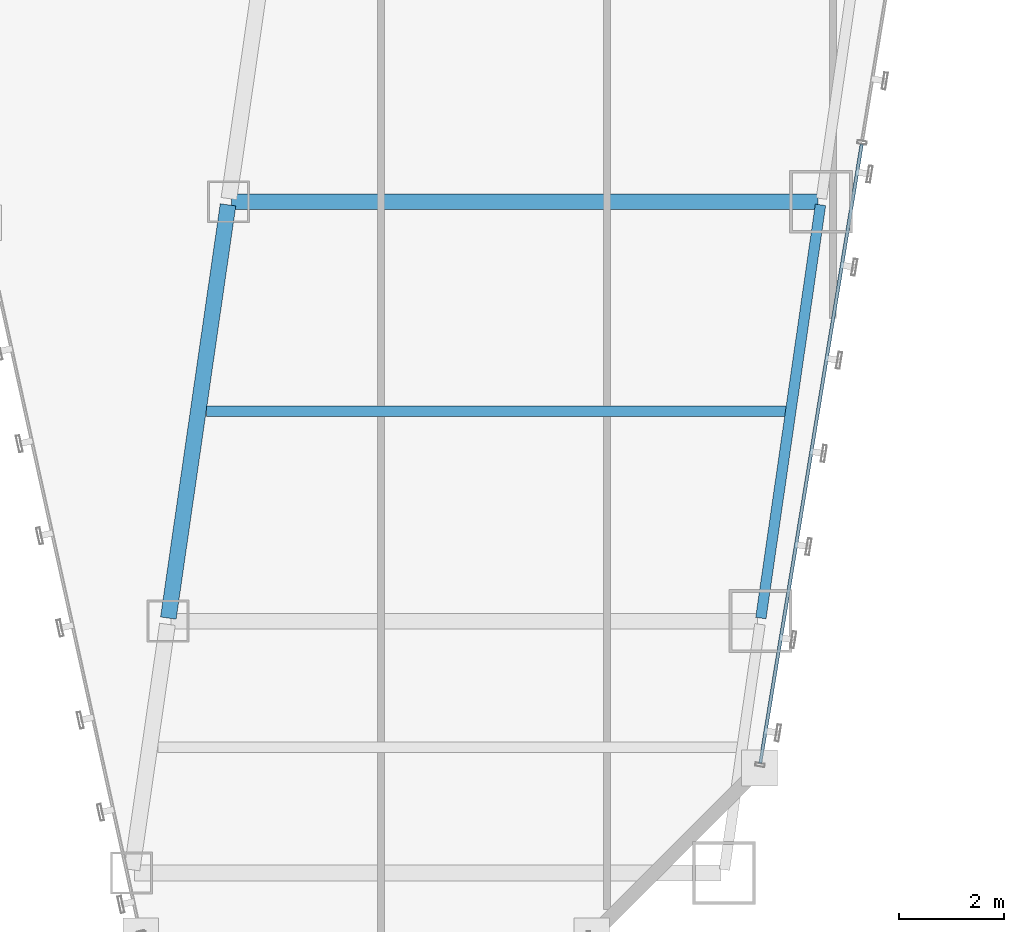
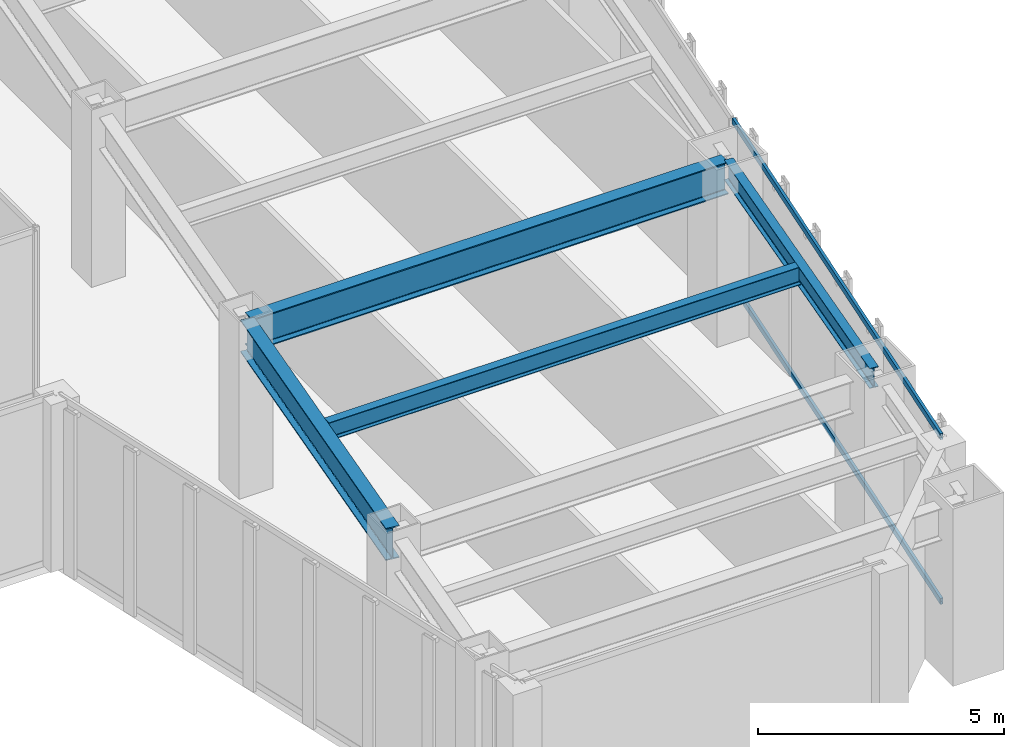
# One storey, part 16 of 47: 4 beams, 2 members, 1 element without a shape of its own.
"""IFC4 building model written with IfcOpenShell, lengths in metres."""

from ifc_helpers import new_model, si_unit, direction, frame, origin, origin_2d, place, context, subcontext, project, spatial, hollow_rectangle, i_section, extrude, material, material_profile, profile_set, type_object, element, aggregate, save


model = new_model("IFC4")

# Units and contexts
model_context = context("Model", 3, precision=1e-05, world=origin(), true_north=direction((0.0, 1.0)))
body_context = subcontext(model_context, "Body", "Model", "MODEL_VIEW")
ifc_project = project(units=[si_unit("LENGTHUNIT", "METRE"), si_unit("AREAUNIT", "SQUARE_METRE"), si_unit("VOLUMEUNIT", "CUBIC_METRE"), si_unit("PLANEANGLEUNIT", "RADIAN"), si_unit("MASSUNIT", "GRAM", prefix="KILO")], contexts=[model_context])

# Site, building, storey
site_placement = place(None, origin())
site = spatial("IfcSite", under=ifc_project, at=site_placement, CompositionType="ELEMENT")
building_placement = place(site_placement, origin())
building = spatial("IfcBuilding", under=site, at=building_placement, Name="Saevonmaru Cultural Tower", CompositionType="ELEMENT")
storey_placement = place(building_placement, frame((0.0, 0.0, 60.39990234375)))
storey = spatial("IfcBuildingStorey", under=building, at=storey_placement, Name="L12", CompositionType="ELEMENT", Elevation=60.39990234375)

# Beams
ifc_material_1 = material(Name="Steel SM420", Category="steel")
ifc_material_profile_1 = material_profile(ifc_material_1, i_section(OverallWidth=0.300048828125, OverallDepth=0.800048828125, WebThickness=0.013916015625, FlangeThickness=0.02587890625, FilletRadius=0.028076171875, at=origin_2d()), Name="H-800x300x14x26")
ifc_profile_set_1 = profile_set([ifc_material_profile_1], Name="Steel SM420")
beam_type_1 = type_object("IfcBeamType", Name="BM-G-H800", PredefinedType="BEAM", material=ifc_profile_set_1)
beam_1_placement = place(storey_placement, frame((36.925537109375, 8.059326171875, 3.75), z_axis=(0.142902032203, 0.989736838353, 0.0), x_axis=(-0.989736838353, 0.142902032203, 0.0)))
element("IfcBeam", 1, at=beam_1_placement, inside=storey, type_object=beam_type_1, Name="L12 East Atrium Girder 2", PredefinedType="BEAM", context=body_context, shape_type="SweptSolid", body=[
    extrude(i_section(OverallWidth=0.300048828125, OverallDepth=0.800048828125, WebThickness=0.013916015625, FlangeThickness=0.02587890625, FilletRadius=0.028076171875, at=origin_2d()), origin(), (0.0, 0.0, 1.0), 7.963134765625),
])
beam_2_placement = place(storey_placement, frame((38.132080078125, 16.0, 3.75), z_axis=(1.0, 0.0, 0.0), x_axis=(0.0, 1.0, 0.0)))
element("IfcBeam", 2, at=beam_2_placement, inside=storey, type_object=beam_type_1, Name="L12 East Wing Transverse Girder 3", PredefinedType="BEAM", context=body_context, shape_type="SweptSolid", body=[
    extrude(i_section(OverallWidth=0.300048828125, OverallDepth=0.800048828125, WebThickness=0.013916015625, FlangeThickness=0.02587890625, FilletRadius=0.028076171875, at=origin_2d()), origin(), (0.0, 0.0, 1.0), 11.179931640625),
])
ifc_material_2 = material(Name="Steel SM355", Category="steel")
ifc_material_profile_2 = material_profile(ifc_material_2, i_section(OverallWidth=0.199951171875, OverallDepth=0.449951171875, WebThickness=0.009033203125, FlangeThickness=0.013916015625, FilletRadius=0.01806640625, at=origin_2d()), Name="H-450x200x9x14")
ifc_profile_set_2 = profile_set([ifc_material_profile_2], Name="Steel SM355")
beam_type_2 = type_object("IfcBeamType", Name="BM-J-H450", PredefinedType="JOIST", material=ifc_profile_set_2)
beam_3_placement = place(storey_placement, frame((37.652587890625, 12.0, 3.925048828125), z_axis=(1.0, 0.0, 0.0), x_axis=(0.0, 1.0, 0.0)))
element("IfcBeam", 3, at=beam_3_placement, inside=storey, type_object=beam_type_2, Name="L12 East Wing Floor Joist 2", PredefinedType="JOIST", context=body_context, shape_type="SweptSolid", body=[
    extrude(i_section(OverallWidth=0.199951171875, OverallDepth=0.449951171875, WebThickness=0.009033203125, FlangeThickness=0.013916015625, FilletRadius=0.01806640625, at=origin_2d()), origin(), (0.0, 0.0, 1.0), 11.08203125),
])
ifc_material_profile_3 = material_profile(ifc_material_2, i_section(OverallWidth=0.199951171875, OverallDepth=0.5, WebThickness=0.010009765625, FlangeThickness=0.01611328125, FilletRadius=0.02001953125, at=origin_2d()), Name="H-500x200x10x16")
ifc_profile_set_3 = profile_set([ifc_material_profile_3], Name="Steel SM355")
beam_type_3 = type_object("IfcBeamType", Name="BM-SP-H500", PredefinedType="SPANDREL", material=ifc_profile_set_3)
beam_4_placement = place(storey_placement, frame((48.2255859375, 8.059326171875, 3.900146484375), z_axis=(0.142871999001, 0.989741174197, 0.0), x_axis=(-0.989741174197, 0.142871999001, 0.0)))
element("IfcBeam", 4, at=beam_4_placement, inside=storey, type_object=beam_type_3, Name="L12 East Splayed Spandrel 2", PredefinedType="SPANDREL", context=body_context, shape_type="SweptSolid", body=[
    extrude(i_section(OverallWidth=0.199951171875, OverallDepth=0.5, WebThickness=0.010009765625, FlangeThickness=0.01611328125, FilletRadius=0.02001953125, at=origin_2d()), origin(), (0.0, 0.0, 1.0), 7.963134765625),
])

# Curtain wall, members
ifc_material_3 = material(Name="Satin Bronze Anodised Aluminium", Category="aluminium")
curtain_wall_type = type_object("IfcCurtainWallType", Name="CW-TYP-A", PredefinedType="NOTDEFINED", material=ifc_material_3)
curtain_wall_placement = place(storey_placement, origin())
curtain_wall = element("IfcCurtainWall", 5, at=curtain_wall_placement, inside=storey, type_object=curtain_wall_type, Name="L12 Unitised Curtain Wall E8", PredefinedType="NOTDEFINED")
ifc_material_profile_4 = material_profile(ifc_material_3, hollow_rectangle(XDim=0.06494140625, YDim=0.14990234375, WallThickness=0.00390625, at=origin_2d()), Name="ALU-TRAN-150x65x4")
ifc_profile_set_4 = profile_set([ifc_material_profile_4], Name="Satin Bronze Anodised Aluminium")
member_type = type_object("IfcMemberType", Name="TR-CW-150x65", PredefinedType="USERDEFINED", material=ifc_profile_set_4)
member_1_placement = place(storey_placement, frame((48.21484375, 5.291259765625, 0.03271484375), z_axis=(0.161724530373, 0.986835941925, 0.0), x_axis=(-0.986835941925, 0.161724530373, 0.0)))
member_1 = element("IfcMember", 6, at=member_1_placement, type_object=member_type, Name="CW-TW-L12-E8 transom 1.1", ObjectType="TRANSOM", PredefinedType="USERDEFINED", context=body_context, shape_type="SweptSolid", body=[
    extrude(hollow_rectangle(XDim=0.06494140625, YDim=0.14990234375, WallThickness=0.00390625, at=origin_2d()), origin(), (0.0, 0.0, 1.0), 11.963623046875),
])
member_2_placement = place(storey_placement, frame((48.21484375, 5.291259765625, 4.11767578125), z_axis=(0.161724530373, 0.986835941925, 0.0), x_axis=(-0.986835941925, 0.161724530373, 0.0)))
member_2 = element("IfcMember", 7, at=member_2_placement, type_object=member_type, Name="CW-TW-L12-E8 transom 1.2", ObjectType="TRANSOM", PredefinedType="USERDEFINED", context=body_context, shape_type="SweptSolid", body=[
    extrude(hollow_rectangle(XDim=0.06494140625, YDim=0.14990234375, WallThickness=0.00390625, at=origin_2d()), origin(), (0.0, 0.0, 1.0), 11.963623046875),
])
aggregate(curtain_wall, [member_1, member_2])

save(model, "model.ifc")
